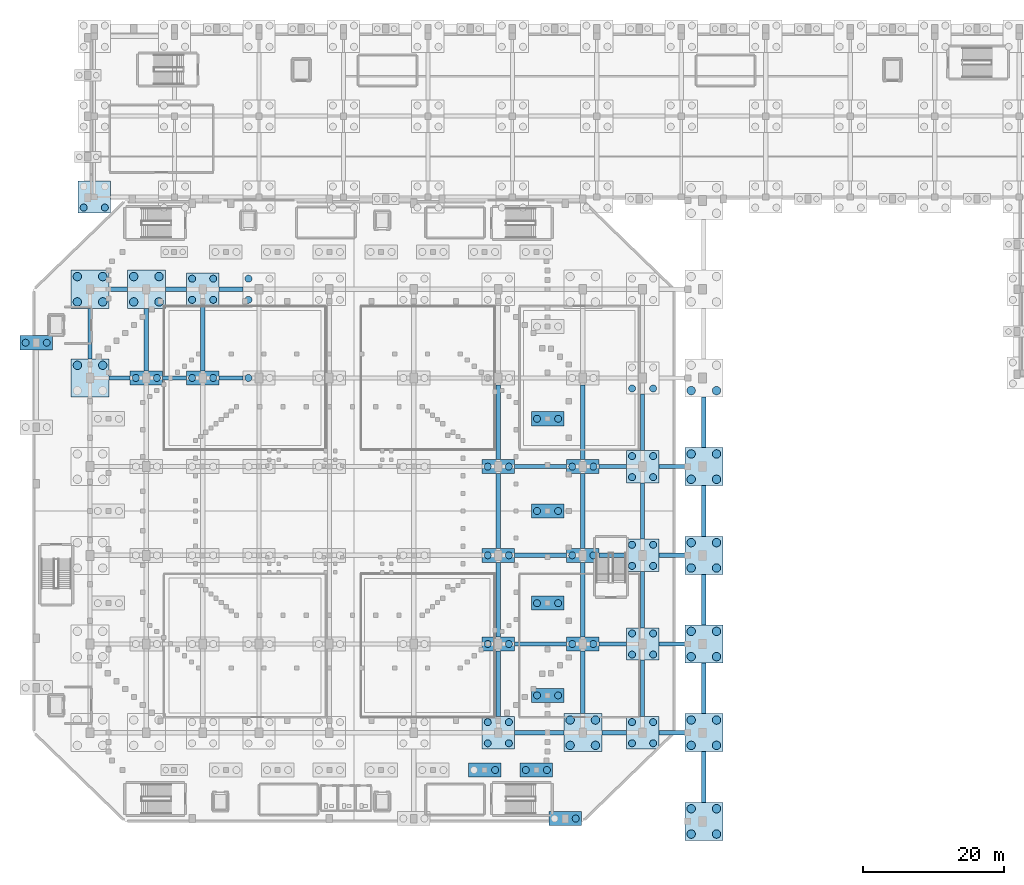
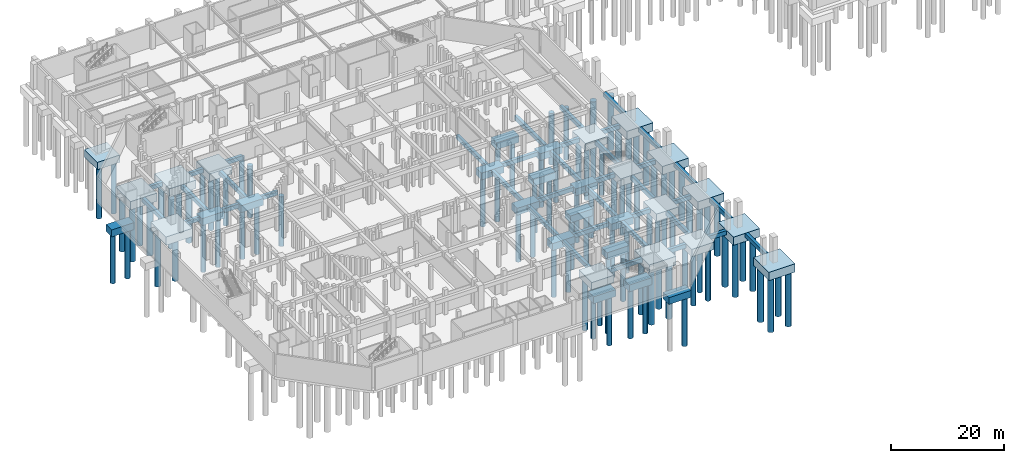
# One storey, part 2 of 27: 97 piles, 70 footings.
"""IFC4 building model written with IfcOpenShell, lengths in metres."""

from ifc_helpers import new_model, si_unit, derived_unit, direction, frame, origin, origin_2d, place, context, subcontext, project, spatial, rectangle, circle, extrude, material, layer, layer_set, material_profile, profile_set, type_object, element, save


model = new_model("IFC4")

# Units and contexts
model_context = context("Model", 3, precision=1e-05, world=origin(), true_north=direction((0.0, 1.0)))
body_context = subcontext(model_context, "Body", "Model", "MODEL_VIEW")
ifc_project = project(units=[si_unit("LENGTHUNIT", "METRE"), si_unit("AREAUNIT", "SQUARE_METRE"), si_unit("VOLUMEUNIT", "CUBIC_METRE"), si_unit("PLANEANGLEUNIT", "RADIAN"), si_unit("MASSUNIT", "GRAM", prefix="KILO"), derived_unit("THERMALTRANSMITTANCEUNIT", [(si_unit("MASSUNIT", "GRAM", prefix="KILO"), 1), (si_unit("TIMEUNIT", "SECOND"), -3), (si_unit("THERMODYNAMICTEMPERATUREUNIT", "KELVIN"), -1)])], contexts=[model_context])

# Site, building, storey
site_placement = place(None, origin())
site = spatial("IfcSite", under=ifc_project, at=site_placement, CompositionType="ELEMENT")
building_placement = place(site_placement, origin())
building = spatial("IfcBuilding", under=site, at=building_placement, Name="Valcora Ridge Arena", CompositionType="ELEMENT")
storey_placement = place(building_placement, frame((0.0, 0.0, -5.39990234375)))
storey = spatial("IfcBuildingStorey", under=building, at=storey_placement, Name="B1", CompositionType="ELEMENT", Elevation=-5.39990234375)

# Footings
ifc_material_1 = material(Name="Concrete C40/50", Category="concrete")
ifc_layer_1 = layer(ifc_material_1, 1.5, Name="Concrete C40/50")
ifc_layer_set_1 = layer_set([ifc_layer_1], Name="Concrete C40/50")
footing_type_1 = type_object("IfcFootingType", Name="TY-FOOTING-PC-2P1000", PredefinedType="PILE_CAP", material=ifc_layer_set_1)
for number, where, z_axis, x_axis, name in (
    (1, (32.0, 83.0, -2.10009765625), (0.0, 0.0, 1.0), (1.0, 0.0, 0.0), "PC-2P1000 FND-PC-0019"),
    (2, (40.0, 83.0, -2.10009765625), (0.0, 0.0, 1.0), (1.0, 0.0, 0.0), "PC-2P1000 FND-PC-0025"),
    (3, (82.0, 45.199951171875, -2.10009765625), (0.0, 0.0, 1.0), (1.0, 0.0, 0.0), "PC-2P1000 FND-PC-0046"),
    (4, (82.0, 57.800048828125, -2.10009765625), (0.0, 0.0, 1.0), (1.0, 0.0, 0.0), "PC-2P1000 FND-PC-0047"),
    (5, (82.0, 70.39990234375, -2.10009765625), (0.0, 0.0, 1.0), (1.0, 0.0, 0.0), "PC-2P1000 FND-PC-0048"),
    (6, (94.0, 45.199951171875, -2.10009765625), (0.0, 0.0, 1.0), (1.0, 0.0, 0.0), "PC-2P1000 FND-PC-0052"),
    (7, (94.0, 57.800048828125, -2.10009765625), (0.0, 0.0, 1.0), (1.0, 0.0, 0.0), "PC-2P1000 FND-PC-0053"),
    (8, (94.0, 70.39990234375, -2.10009765625), (0.0, 0.0, 1.0), (1.0, 0.0, 0.0), "PC-2P1000 FND-PC-0054"),
    (9, (91.5, 20.39990234375, -2.10009765625), (0.0, 0.0, 1.0), (1.0, 0.0, 0.0), "PC-2P1000 FND-PC-0211"),
    (10, (16.35009765625, 88.0, -2.10009765625), (0.0, 0.0, 1.0), (1.0, 0.0, 0.0), "PC-2P1000 FND-PC-0214"),
    (11, (80.050048828125, 27.300048828125, -2.10009765625), (0.0, 0.0, 1.0), (1.0, 0.0, 0.0), "PC-2P1000 FND-PC-0267"),
    (12, (87.39990234375, 27.300048828125, -2.10009765625), (0.0, 0.0, 1.0), (1.0, 0.0, 0.0), "PC-2P1000 FND-PC-0268"),
    (13, (89.0, 37.89990234375, -2.10009765625), (0.0, 0.0, 1.0), (1.0, 0.0, 0.0), "PC-2P1000 FND-PC-0269"),
    (14, (89.0, 51.0, -2.10009765625), (0.0, 0.0, 1.0), (1.0, 0.0, 0.0), "PC-2P1000 FND-PC-0270"),
    (15, (89.0, 64.10009765625, -2.10009765625), (0.0, 0.0, 1.0), (1.0, 0.0, 0.0), "PC-2P1000 FND-PC-0271"),
    (16, (89.0, 77.199951171875, -2.10009765625), (0.0, 0.0, 1.0), (1.0, 0.0, 0.0), "PC-2P1000 FND-PC-0272"),
):
    element("IfcFooting", number, at=place(storey_placement, frame(where, z_axis=z_axis, x_axis=x_axis)), inside=storey, type_object=footing_type_1, Name=name, PredefinedType="PILE_CAP", context=body_context, shape_type="SweptSolid", body=[
        extrude(rectangle(XDim=4.60009765625, YDim=2.0, at=origin_2d()), origin(), (0.0, 0.0, 1.0), 1.5),
    ])
ifc_layer_2 = layer(ifc_material_1, 1.60009765625, Name="Concrete C40/50")
ifc_layer_set_2 = layer_set([ifc_layer_2], Name="Concrete C40/50")
footing_type_2 = type_object("IfcFootingType", Name="TY-FOOTING-PC-4P1000", PredefinedType="PILE_CAP", material=ifc_layer_set_2)
for number, where, z_axis, x_axis, name in (
    (17, (40.0, 95.60009765625, -2.2001953125), (0.0, 0.0, 1.0), (1.0, 0.0, 0.0), "PC-4P1000 FND-PC-0026"),
    (18, (82.0, 32.60009765625, -2.2001953125), (0.0, 0.0, 1.0), (1.0, 0.0, 0.0), "PC-4P1000 FND-PC-0045"),
    (19, (102.5, 32.60009765625, -2.2001953125), (0.0, 0.0, 1.0), (1.0, 0.0, 0.0), "PC-4P1000 FND-PC-0057"),
    (20, (102.5, 45.199951171875, -2.2001953125), (0.0, 0.0, 1.0), (1.0, 0.0, 0.0), "PC-4P1000 FND-PC-0058"),
    (21, (102.5, 57.800048828125, -2.2001953125), (0.0, 0.0, 1.0), (1.0, 0.0, 0.0), "PC-4P1000 FND-PC-0059"),
    (22, (102.5, 70.39990234375, -2.2001953125), (0.0, 0.0, 1.0), (1.0, 0.0, 0.0), "PC-4P1000 FND-PC-0060"),
    (23, (24.60009765625, 108.699951171875, -2.2001953125), (0.0, 0.0, 1.0), (1.0, 0.0, 0.0), "PC-4P1000 FND-PC-0063"),
):
    element("IfcFooting", number, at=place(storey_placement, frame(where, z_axis=z_axis, x_axis=x_axis)), inside=storey, type_object=footing_type_2, Name=name, PredefinedType="PILE_CAP", context=body_context, shape_type="SweptSolid", body=[
        extrude(rectangle(XDim=4.60009765625, YDim=4.60009765625, at=origin_2d()), origin(), (0.0, 0.0, 1.0), 1.60009765625),
    ])
ifc_layer_3 = layer(ifc_material_1, 1.800048828125, Name="Concrete C40/50")
ifc_layer_set_3 = layer_set([ifc_layer_3], Name="Concrete C40/50")
footing_type_3 = type_object("IfcFootingType", Name="TY-FOOTING-PC-4P1200", PredefinedType="PILE_CAP", material=ifc_layer_set_3)
for number, where, z_axis, x_axis, name in (
    (24, (111.199951171875, 20.0, -2.39990234375), (0.0, 0.0, 1.0), (1.0, 0.0, 0.0), "PC-4P1200 FND-PC-0001"),
    (25, (111.199951171875, 32.60009765625, -2.39990234375), (0.0, 0.0, 1.0), (1.0, 0.0, 0.0), "PC-4P1200 FND-PC-0002"),
    (26, (111.199951171875, 45.199951171875, -2.39990234375), (0.0, 0.0, 1.0), (1.0, 0.0, 0.0), "PC-4P1200 FND-PC-0003"),
    (27, (111.199951171875, 57.800048828125, -2.39990234375), (0.0, 0.0, 1.0), (1.0, 0.0, 0.0), "PC-4P1200 FND-PC-0004"),
    (28, (111.199951171875, 70.39990234375, -2.39990234375), (0.0, 0.0, 1.0), (1.0, 0.0, 0.0), "PC-4P1200 FND-PC-0005"),
    (29, (24.0, 83.0, -2.39990234375), (0.0, 0.0, 1.0), (1.0, 0.0, 0.0), "PC-4P1200 FND-PC-0013"),
    (30, (24.0, 95.60009765625, -2.39990234375), (0.0, 0.0, 1.0), (1.0, 0.0, 0.0), "PC-4P1200 FND-PC-0014"),
    (31, (32.0, 95.60009765625, -2.39990234375), (0.0, 0.0, 1.0), (1.0, 0.0, 0.0), "PC-4P1200 FND-PC-0020"),
    (32, (94.0, 32.60009765625, -2.39990234375), (0.0, 0.0, 1.0), (1.0, 0.0, 0.0), "PC-4P1200 FND-PC-0051"),
):
    element("IfcFooting", number, at=place(storey_placement, frame(where, z_axis=z_axis, x_axis=x_axis)), inside=storey, type_object=footing_type_3, Name=name, PredefinedType="PILE_CAP", context=body_context, shape_type="SweptSolid", body=[
        extrude(rectangle(XDim=5.39990234375, YDim=5.39990234375, at=origin_2d()), origin(), (0.0, 0.0, 1.0), 1.800048828125),
    ])
ifc_layer_4 = layer(ifc_material_1, 0.89990234375, Name="Concrete C40/50")
ifc_layer_set_4 = layer_set([ifc_layer_4], Name="Concrete C40/50")
footing_type_4 = type_object("IfcFootingType", Name="TY-FOOTING-TBX-026", PredefinedType="FOOTING_BEAM", material=ifc_layer_set_4)
footing_1_placement = place(storey_placement, frame((28.0, 95.60009765625, -1.5), z_axis=(0.0, 0.0, 1.0), x_axis=(1.0, 0.0, 0.0)))
element("IfcFooting", 33, at=footing_1_placement, inside=storey, type_object=footing_type_4, Name="TBX-026 FND-TB-0046", PredefinedType="FOOTING_BEAM", context=body_context, shape_type="SweptSolid", body=[
    extrude(rectangle(XDim=2.597900390625, YDim=0.60009765625, at=origin_2d()), origin(), (0.0, 0.0, 1.0), 0.89990234375),
])
ifc_layer_5 = layer(ifc_material_1, 0.89990234375, Name="Concrete C40/50")
ifc_layer_set_5 = layer_set([ifc_layer_5], Name="Concrete C40/50")
footing_type_5 = type_object("IfcFootingType", Name="TY-FOOTING-TBX-030", PredefinedType="FOOTING_BEAM", material=ifc_layer_set_5)
for number, where, z_axis, x_axis, name in (
    (34, (28.199951171875, 83.0, -1.5), (0.0, 0.0, 1.0), (1.0, 0.0, 0.0), "TBX-030 FND-TB-0037"),
    (35, (36.199951171875, 95.60009765625, -1.5), (0.0, 0.0, 1.0), (1.0, 0.0, 0.0), "TBX-030 FND-TB-0047"),
):
    element("IfcFooting", number, at=place(storey_placement, frame(where, z_axis=z_axis, x_axis=x_axis)), inside=storey, type_object=footing_type_5, Name=name, PredefinedType="FOOTING_BEAM", context=body_context, shape_type="SweptSolid", body=[
        extrude(rectangle(XDim=2.998046875, YDim=0.60009765625, at=origin_2d()), origin(), (0.0, 0.0, 1.0), 0.89990234375),
    ])
ifc_layer_6 = layer(ifc_material_1, 0.89990234375, Name="Concrete C40/50")
ifc_layer_set_6 = layer_set([ifc_layer_6], Name="Concrete C40/50")
footing_type_6 = type_object("IfcFootingType", Name="TY-FOOTING-TBX-034", PredefinedType="FOOTING_BEAM", material=ifc_layer_set_6)
for number, where, z_axis, x_axis, name in (
    (36, (36.0, 83.0, -1.5), (0.0, 0.0, 1.0), (1.0, 0.0, 0.0), "TBX-034 FND-TB-0038"),
    (37, (44.0, 83.0, -1.5), (0.0, 0.0, 1.0), (1.0, 0.0, 0.0), "TBX-034 FND-TB-0039"),
    (38, (44.0, 95.60009765625, -1.5), (0.0, 0.0, 1.0), (1.0, 0.0, 0.0), "TBX-034 FND-TB-0048"),
):
    element("IfcFooting", number, at=place(storey_placement, frame(where, z_axis=z_axis, x_axis=x_axis)), inside=storey, type_object=footing_type_6, Name=name, PredefinedType="FOOTING_BEAM", context=body_context, shape_type="SweptSolid", body=[
        extrude(rectangle(XDim=3.39794921875, YDim=0.60009765625, at=origin_2d()), origin(), (0.0, 0.0, 1.0), 0.89990234375),
    ])
ifc_layer_7 = layer(ifc_material_1, 0.89990234375, Name="Concrete C40/50")
ifc_layer_set_7 = layer_set([ifc_layer_7], Name="Concrete C40/50")
footing_type_7 = type_object("IfcFootingType", Name="TY-FOOTING-TBX-035", PredefinedType="FOOTING_BEAM", material=ifc_layer_set_7)
footing_2_placement = place(storey_placement, frame((98.449951171875, 32.60009765625, -1.5), z_axis=(0.0, 0.0, 1.0), x_axis=(1.0, 0.0, 0.0)))
element("IfcFooting", 39, at=footing_2_placement, inside=storey, type_object=footing_type_7, Name="TBX-035 FND-TB-0008", PredefinedType="FOOTING_BEAM", context=body_context, shape_type="SweptSolid", body=[
    extrude(rectangle(XDim=3.498046875, YDim=0.60009765625, at=origin_2d()), origin(), (0.0, 0.0, 1.0), 0.89990234375),
])
ifc_layer_8 = layer(ifc_material_1, 0.89990234375, Name="Concrete C40/50")
ifc_layer_set_8 = layer_set([ifc_layer_8], Name="Concrete C40/50")
footing_type_8 = type_object("IfcFootingType", Name="TY-FOOTING-TBX-037", PredefinedType="FOOTING_BEAM", material=ifc_layer_set_8)
for number, where, z_axis, x_axis, name in (
    (40, (106.64990234375, 32.60009765625, -1.5), (0.0, 0.0, 1.0), (1.0, 0.0, 0.0), "TBX-037 FND-TB-0009"),
    (41, (106.64990234375, 45.199951171875, -1.5), (0.0, 0.0, 1.0), (1.0, 0.0, 0.0), "TBX-037 FND-TB-0018"),
    (42, (106.64990234375, 57.800048828125, -1.5), (0.0, 0.0, 1.0), (1.0, 0.0, 0.0), "TBX-037 FND-TB-0027"),
    (43, (106.64990234375, 70.39990234375, -1.5), (0.0, 0.0, 1.0), (1.0, 0.0, 0.0), "TBX-037 FND-TB-0036"),
):
    element("IfcFooting", number, at=place(storey_placement, frame(where, z_axis=z_axis, x_axis=x_axis)), inside=storey, type_object=footing_type_8, Name=name, PredefinedType="FOOTING_BEAM", context=body_context, shape_type="SweptSolid", body=[
        extrude(rectangle(XDim=3.697998046875, YDim=0.60009765625, at=origin_2d()), origin(), (0.0, 0.0, 1.0), 0.89990234375),
    ])
ifc_layer_9 = layer(ifc_material_1, 0.89990234375, Name="Concrete C40/50")
ifc_layer_set_9 = layer_set([ifc_layer_9], Name="Concrete C40/50")
footing_type_9 = type_object("IfcFootingType", Name="TY-FOOTING-TBX-039", PredefinedType="FOOTING_BEAM", material=ifc_layer_set_9)
for number, where, z_axis, x_axis, name in (
    (44, (98.25, 45.199951171875, -1.5), (0.0, 0.0, 1.0), (1.0, 0.0, 0.0), "TBX-039 FND-TB-0017"),
    (45, (98.25, 57.800048828125, -1.5), (0.0, 0.0, 1.0), (1.0, 0.0, 0.0), "TBX-039 FND-TB-0026"),
    (46, (98.25, 70.39990234375, -1.5), (0.0, 0.0, 1.0), (1.0, 0.0, 0.0), "TBX-039 FND-TB-0035"),
):
    element("IfcFooting", number, at=place(storey_placement, frame(where, z_axis=z_axis, x_axis=x_axis)), inside=storey, type_object=footing_type_9, Name=name, PredefinedType="FOOTING_BEAM", context=body_context, shape_type="SweptSolid", body=[
        extrude(rectangle(XDim=3.89794921875, YDim=0.60009765625, at=origin_2d()), origin(), (0.0, 0.0, 1.0), 0.89990234375),
    ])
ifc_layer_10 = layer(ifc_material_1, 0.89990234375, Name="Concrete C40/50")
ifc_layer_set_10 = layer_set([ifc_layer_10], Name="Concrete C40/50")
footing_type_10 = type_object("IfcFootingType", Name="TY-FOOTING-TBX-070", PredefinedType="FOOTING_BEAM", material=ifc_layer_set_10)
footing_3_placement = place(storey_placement, frame((87.800048828125, 32.60009765625, -1.5), z_axis=(0.0, 0.0, 1.0), x_axis=(1.0, 0.0, 0.0)))
element("IfcFooting", 47, at=footing_3_placement, inside=storey, type_object=footing_type_10, Name="TBX-070 FND-TB-0007", PredefinedType="FOOTING_BEAM", context=body_context, shape_type="SweptSolid", body=[
    extrude(rectangle(XDim=6.998046875, YDim=0.60009765625, at=origin_2d()), origin(), (0.0, 0.0, 1.0), 0.89990234375),
])
ifc_layer_11 = layer(ifc_material_1, 0.89990234375, Name="Concrete C40/50")
ifc_layer_set_11 = layer_set([ifc_layer_11], Name="Concrete C40/50")
footing_type_11 = type_object("IfcFootingType", Name="TY-FOOTING-TBX-074", PredefinedType="FOOTING_BEAM", material=ifc_layer_set_11)
for number, where, z_axis, x_axis, name in (
    (48, (88.0, 45.199951171875, -1.5), (0.0, 0.0, 1.0), (1.0, 0.0, 0.0), "TBX-074 FND-TB-0016"),
    (49, (88.0, 57.800048828125, -1.5), (0.0, 0.0, 1.0), (1.0, 0.0, 0.0), "TBX-074 FND-TB-0025"),
    (50, (88.0, 70.39990234375, -1.5), (0.0, 0.0, 1.0), (1.0, 0.0, 0.0), "TBX-074 FND-TB-0034"),
):
    element("IfcFooting", number, at=place(storey_placement, frame(where, z_axis=z_axis, x_axis=x_axis)), inside=storey, type_object=footing_type_11, Name=name, PredefinedType="FOOTING_BEAM", context=body_context, shape_type="SweptSolid", body=[
        extrude(rectangle(XDim=7.39794921875, YDim=0.60009765625, at=origin_2d()), origin(), (0.0, 0.0, 1.0), 0.89990234375),
    ])
ifc_layer_12 = layer(ifc_material_1, 0.89990234375, Name="Concrete C40/50")
ifc_layer_set_12 = layer_set([ifc_layer_12], Name="Concrete C40/50")
footing_type_12 = type_object("IfcFootingType", Name="TY-FOOTING-TBY-072", PredefinedType="FOOTING_BEAM", material=ifc_layer_set_12)
for number, where, z_axis, x_axis, name in (
    (51, (111.199951171875, 26.300048828125, -1.5), (0.0, 0.0, 1.0), (1.0, 0.0, 0.0), "TBY-072 FND-TB-0085"),
    (52, (111.199951171875, 38.89990234375, -1.5), (0.0, 0.0, 1.0), (1.0, 0.0, 0.0), "TBY-072 FND-TB-0086"),
    (53, (111.199951171875, 51.5, -1.5), (0.0, 0.0, 1.0), (1.0, 0.0, 0.0), "TBY-072 FND-TB-0087"),
    (54, (111.199951171875, 64.10009765625, -1.5), (0.0, 0.0, 1.0), (1.0, 0.0, 0.0), "TBY-072 FND-TB-0088"),
    (55, (111.199951171875, 76.699951171875, -1.5), (0.0, 0.0, 1.0), (1.0, 0.0, 0.0), "TBY-072 FND-TB-0089"),
    (56, (24.0, 89.300048828125, -1.5), (0.0, 0.0, 1.0), (1.0, 0.0, 0.0), "TBY-072 FND-TB-0096"),
):
    element("IfcFooting", number, at=place(storey_placement, frame(where, z_axis=z_axis, x_axis=x_axis)), inside=storey, type_object=footing_type_12, Name=name, PredefinedType="FOOTING_BEAM", context=body_context, shape_type="SweptSolid", body=[
        extrude(rectangle(XDim=0.60009765625, YDim=7.197998046875, at=origin_2d()), origin(), (0.0, 0.0, 1.0), 0.89990234375),
    ])
ifc_layer_13 = layer(ifc_material_1, 0.89990234375, Name="Concrete C40/50")
ifc_layer_set_13 = layer_set([ifc_layer_13], Name="Concrete C40/50")
footing_type_13 = type_object("IfcFootingType", Name="TY-FOOTING-TBY-080", PredefinedType="FOOTING_BEAM", material=ifc_layer_set_13)
for number, where, z_axis, x_axis, name in (
    (57, (102.5, 38.89990234375, -1.5), (0.0, 0.0, 1.0), (1.0, 0.0, 0.0), "TBY-080 FND-TB-0135"),
    (58, (102.5, 51.5, -1.5), (0.0, 0.0, 1.0), (1.0, 0.0, 0.0), "TBY-080 FND-TB-0136"),
    (59, (102.5, 64.10009765625, -1.5), (0.0, 0.0, 1.0), (1.0, 0.0, 0.0), "TBY-080 FND-TB-0137"),
    (60, (102.5, 76.699951171875, -1.5), (0.0, 0.0, 1.0), (1.0, 0.0, 0.0), "TBY-080 FND-TB-0138"),
):
    element("IfcFooting", number, at=place(storey_placement, frame(where, z_axis=z_axis, x_axis=x_axis)), inside=storey, type_object=footing_type_13, Name=name, PredefinedType="FOOTING_BEAM", context=body_context, shape_type="SweptSolid", body=[
        extrude(rectangle(XDim=0.60009765625, YDim=7.998046875, at=origin_2d()), origin(), (0.0, 0.0, 1.0), 0.89990234375),
    ])
ifc_layer_14 = layer(ifc_material_1, 0.89990234375, Name="Concrete C40/50")
ifc_layer_set_14 = layer_set([ifc_layer_14], Name="Concrete C40/50")
footing_type_14 = type_object("IfcFootingType", Name="TY-FOOTING-TBY-089", PredefinedType="FOOTING_BEAM", material=ifc_layer_set_14)
for number, where, z_axis, x_axis, name in (
    (61, (32.0, 88.449951171875, -1.5), (0.0, 0.0, 1.0), (1.0, 0.0, 0.0), "TBY-089 FND-TB-0101"),
    (62, (94.0, 39.75, -1.5), (0.0, 0.0, 1.0), (1.0, 0.0, 0.0), "TBY-089 FND-TB-0130"),
):
    element("IfcFooting", number, at=place(storey_placement, frame(where, z_axis=z_axis, x_axis=x_axis)), inside=storey, type_object=footing_type_14, Name=name, PredefinedType="FOOTING_BEAM", context=body_context, shape_type="SweptSolid", body=[
        extrude(rectangle(XDim=0.60009765625, YDim=8.89794921875, at=origin_2d()), origin(), (0.0, 0.0, 1.0), 0.89990234375),
    ])
ifc_layer_15 = layer(ifc_material_1, 0.89990234375, Name="Concrete C40/50")
ifc_layer_set_15 = layer_set([ifc_layer_15], Name="Concrete C40/50")
footing_type_15 = type_object("IfcFootingType", Name="TY-FOOTING-TBY-093", PredefinedType="FOOTING_BEAM", material=ifc_layer_set_15)
for number, where, z_axis, x_axis, name in (
    (63, (40.0, 88.64990234375, -1.5), (0.0, 0.0, 1.0), (1.0, 0.0, 0.0), "TBY-093 FND-TB-0106"),
    (64, (82.0, 39.550048828125, -1.5), (0.0, 0.0, 1.0), (1.0, 0.0, 0.0), "TBY-093 FND-TB-0125"),
):
    element("IfcFooting", number, at=place(storey_placement, frame(where, z_axis=z_axis, x_axis=x_axis)), inside=storey, type_object=footing_type_15, Name=name, PredefinedType="FOOTING_BEAM", context=body_context, shape_type="SweptSolid", body=[
        extrude(rectangle(XDim=0.60009765625, YDim=9.298095703125, at=origin_2d()), origin(), (0.0, 0.0, 1.0), 0.89990234375),
    ])
ifc_layer_16 = layer(ifc_material_1, 0.89990234375, Name="Concrete C40/50")
ifc_layer_set_16 = layer_set([ifc_layer_16], Name="Concrete C40/50")
footing_type_16 = type_object("IfcFootingType", Name="TY-FOOTING-TBY-106", PredefinedType="FOOTING_BEAM", material=ifc_layer_set_16)
for number, where, z_axis, x_axis, name in (
    (65, (82.0, 51.5, -1.5), (0.0, 0.0, 1.0), (1.0, 0.0, 0.0), "TBY-106 FND-TB-0126"),
    (66, (82.0, 64.10009765625, -1.5), (0.0, 0.0, 1.0), (1.0, 0.0, 0.0), "TBY-106 FND-TB-0127"),
    (67, (82.0, 76.699951171875, -1.5), (0.0, 0.0, 1.0), (1.0, 0.0, 0.0), "TBY-106 FND-TB-0128"),
    (68, (94.0, 51.5, -1.5), (0.0, 0.0, 1.0), (1.0, 0.0, 0.0), "TBY-106 FND-TB-0131"),
    (69, (94.0, 64.10009765625, -1.5), (0.0, 0.0, 1.0), (1.0, 0.0, 0.0), "TBY-106 FND-TB-0132"),
    (70, (94.0, 76.699951171875, -1.5), (0.0, 0.0, 1.0), (1.0, 0.0, 0.0), "TBY-106 FND-TB-0133"),
):
    element("IfcFooting", number, at=place(storey_placement, frame(where, z_axis=z_axis, x_axis=x_axis)), inside=storey, type_object=footing_type_16, Name=name, PredefinedType="FOOTING_BEAM", context=body_context, shape_type="SweptSolid", body=[
        extrude(rectangle(XDim=0.60009765625, YDim=10.597900390625, at=origin_2d()), origin(), (0.0, 0.0, 1.0), 0.89990234375),
    ])

# Piles
ifc_material_2 = material(Name="Concrete C35/45", Category="concrete")
ifc_material_profile_1 = material_profile(ifc_material_2, circle(Radius=0.5, at=origin_2d()), Name="BORED PILE D1000")
ifc_profile_set_1 = profile_set([ifc_material_profile_1], Name="Concrete C35/45")
pile_type_1 = type_object("IfcPileType", Name="TY-PILE-P-1000A", PredefinedType="BORED", material=ifc_profile_set_1)
for number, where, z_axis, x_axis, name in (
    (71, (38.5, 94.10009765625, -2.10009765625), (0.0, 0.0, -1.0), (1.0, 0.0, 0.0), "P-1000A FND-PL-P-1000A-0005"),
    (72, (41.5, 94.10009765625, -2.10009765625), (0.0, 0.0, -1.0), (1.0, 0.0, 0.0), "P-1000A FND-PL-P-1000A-0006"),
    (73, (38.5, 97.10009765625, -2.10009765625), (0.0, 0.0, -1.0), (1.0, 0.0, 0.0), "P-1000A FND-PL-P-1000A-0007"),
    (74, (41.5, 97.10009765625, -2.10009765625), (0.0, 0.0, -1.0), (1.0, 0.0, 0.0), "P-1000A FND-PL-P-1000A-0008"),
    (75, (46.5, 94.10009765625, -2.10009765625), (0.0, 0.0, -1.0), (1.0, 0.0, 0.0), "P-1000A FND-PL-P-1000A-0013"),
    (76, (46.5, 97.10009765625, -2.10009765625), (0.0, 0.0, -1.0), (1.0, 0.0, 0.0), "P-1000A FND-PL-P-1000A-0015"),
    (77, (80.5, 31.10009765625, -2.10009765625), (0.0, 0.0, -1.0), (1.0, 0.0, 0.0), "P-1000A FND-PL-P-1000A-0033"),
    (78, (83.5, 31.10009765625, -2.10009765625), (0.0, 0.0, -1.0), (1.0, 0.0, 0.0), "P-1000A FND-PL-P-1000A-0034"),
    (79, (80.5, 34.10009765625, -2.10009765625), (0.0, 0.0, -1.0), (1.0, 0.0, 0.0), "P-1000A FND-PL-P-1000A-0035"),
    (80, (83.5, 34.10009765625, -2.10009765625), (0.0, 0.0, -1.0), (1.0, 0.0, 0.0), "P-1000A FND-PL-P-1000A-0036"),
    (81, (101.0, 31.10009765625, -2.10009765625), (0.0, 0.0, -1.0), (1.0, 0.0, 0.0), "P-1000A FND-PL-P-1000A-0041"),
    (82, (104.0, 31.10009765625, -2.10009765625), (0.0, 0.0, -1.0), (1.0, 0.0, 0.0), "P-1000A FND-PL-P-1000A-0042"),
    (83, (101.0, 34.10009765625, -2.10009765625), (0.0, 0.0, -1.0), (1.0, 0.0, 0.0), "P-1000A FND-PL-P-1000A-0043"),
    (84, (104.0, 34.10009765625, -2.10009765625), (0.0, 0.0, -1.0), (1.0, 0.0, 0.0), "P-1000A FND-PL-P-1000A-0044"),
    (85, (101.0, 43.699951171875, -2.10009765625), (0.0, 0.0, -1.0), (1.0, 0.0, 0.0), "P-1000A FND-PL-P-1000A-0045"),
    (86, (104.0, 43.699951171875, -2.10009765625), (0.0, 0.0, -1.0), (1.0, 0.0, 0.0), "P-1000A FND-PL-P-1000A-0046"),
    (87, (101.0, 46.699951171875, -2.10009765625), (0.0, 0.0, -1.0), (1.0, 0.0, 0.0), "P-1000A FND-PL-P-1000A-0047"),
    (88, (104.0, 46.699951171875, -2.10009765625), (0.0, 0.0, -1.0), (1.0, 0.0, 0.0), "P-1000A FND-PL-P-1000A-0048"),
    (89, (101.0, 56.300048828125, -2.10009765625), (0.0, 0.0, -1.0), (1.0, 0.0, 0.0), "P-1000A FND-PL-P-1000A-0049"),
    (90, (104.0, 56.300048828125, -2.10009765625), (0.0, 0.0, -1.0), (1.0, 0.0, 0.0), "P-1000A FND-PL-P-1000A-0050"),
    (91, (101.0, 59.300048828125, -2.10009765625), (0.0, 0.0, -1.0), (1.0, 0.0, 0.0), "P-1000A FND-PL-P-1000A-0051"),
    (92, (104.0, 59.300048828125, -2.10009765625), (0.0, 0.0, -1.0), (1.0, 0.0, 0.0), "P-1000A FND-PL-P-1000A-0052"),
    (93, (101.0, 68.89990234375, -2.10009765625), (0.0, 0.0, -1.0), (1.0, 0.0, 0.0), "P-1000A FND-PL-P-1000A-0053"),
    (94, (104.0, 68.89990234375, -2.10009765625), (0.0, 0.0, -1.0), (1.0, 0.0, 0.0), "P-1000A FND-PL-P-1000A-0054"),
    (95, (101.0, 71.89990234375, -2.10009765625), (0.0, 0.0, -1.0), (1.0, 0.0, 0.0), "P-1000A FND-PL-P-1000A-0055"),
    (96, (104.0, 71.89990234375, -2.10009765625), (0.0, 0.0, -1.0), (1.0, 0.0, 0.0), "P-1000A FND-PL-P-1000A-0056"),
    (97, (101.0, 81.5, -2.10009765625), (0.0, 0.0, -1.0), (1.0, 0.0, 0.0), "P-1000A FND-PL-P-1000A-0057"),
    (98, (104.0, 81.5, -2.10009765625), (0.0, 0.0, -1.0), (1.0, 0.0, 0.0), "P-1000A FND-PL-P-1000A-0058"),
    (99, (23.10009765625, 107.199951171875, -2.10009765625), (0.0, 0.0, -1.0), (1.0, 0.0, 0.0), "P-1000A FND-PL-P-1000A-0065"),
    (100, (26.10009765625, 107.199951171875, -2.10009765625), (0.0, 0.0, -1.0), (1.0, 0.0, 0.0), "P-1000A FND-PL-P-1000A-0066"),
):
    element("IfcPile", number, at=place(storey_placement, frame(where, z_axis=z_axis, x_axis=x_axis)), inside=storey, type_object=pile_type_1, Name=name, PredefinedType="BORED", context=body_context, shape_type="SweptSolid", body=[
        extrude(circle(Radius=0.5, at=origin_2d()), origin(), (0.0, 0.0, 1.0), 11.199951171875),
    ])
ifc_material_profile_2 = material_profile(ifc_material_2, circle(Radius=0.5, at=origin_2d()), Name="BORED PILE D1000")
ifc_profile_set_2 = profile_set([ifc_material_profile_2], Name="Concrete C35/45")
pile_type_2 = type_object("IfcPileType", Name="TY-PILE-P-1000B", PredefinedType="BORED", material=ifc_profile_set_2)
for number, where, z_axis, x_axis, name in (
    (101, (30.5, 83.0, -2.0), (0.0, 0.0, -1.0), (1.0, 0.0, 0.0), "P-1000B FND-PL-P-1000B-0007"),
    (102, (33.5, 83.0, -2.0), (0.0, 0.0, -1.0), (1.0, 0.0, 0.0), "P-1000B FND-PL-P-1000B-0008"),
    (103, (38.5, 83.0, -2.0), (0.0, 0.0, -1.0), (1.0, 0.0, 0.0), "P-1000B FND-PL-P-1000B-0015"),
    (104, (41.5, 83.0, -2.0), (0.0, 0.0, -1.0), (1.0, 0.0, 0.0), "P-1000B FND-PL-P-1000B-0016"),
    (105, (46.5, 83.0, -2.0), (0.0, 0.0, -1.0), (1.0, 0.0, 0.0), "P-1000B FND-PL-P-1000B-0023"),
    (106, (80.5, 45.199951171875, -2.0), (0.0, 0.0, -1.0), (1.0, 0.0, 0.0), "P-1000B FND-PL-P-1000B-0041"),
    (107, (83.5, 45.199951171875, -2.0), (0.0, 0.0, -1.0), (1.0, 0.0, 0.0), "P-1000B FND-PL-P-1000B-0042"),
    (108, (80.5, 57.800048828125, -2.0), (0.0, 0.0, -1.0), (1.0, 0.0, 0.0), "P-1000B FND-PL-P-1000B-0043"),
    (109, (83.5, 57.800048828125, -2.0), (0.0, 0.0, -1.0), (1.0, 0.0, 0.0), "P-1000B FND-PL-P-1000B-0044"),
    (110, (80.5, 70.39990234375, -2.0), (0.0, 0.0, -1.0), (1.0, 0.0, 0.0), "P-1000B FND-PL-P-1000B-0045"),
    (111, (83.5, 70.39990234375, -2.0), (0.0, 0.0, -1.0), (1.0, 0.0, 0.0), "P-1000B FND-PL-P-1000B-0046"),
    (112, (92.5, 45.199951171875, -2.0), (0.0, 0.0, -1.0), (1.0, 0.0, 0.0), "P-1000B FND-PL-P-1000B-0049"),
    (113, (95.5, 45.199951171875, -2.0), (0.0, 0.0, -1.0), (1.0, 0.0, 0.0), "P-1000B FND-PL-P-1000B-0050"),
    (114, (92.5, 57.800048828125, -2.0), (0.0, 0.0, -1.0), (1.0, 0.0, 0.0), "P-1000B FND-PL-P-1000B-0051"),
    (115, (95.5, 57.800048828125, -2.0), (0.0, 0.0, -1.0), (1.0, 0.0, 0.0), "P-1000B FND-PL-P-1000B-0052"),
    (116, (92.5, 70.39990234375, -2.0), (0.0, 0.0, -1.0), (1.0, 0.0, 0.0), "P-1000B FND-PL-P-1000B-0053"),
    (117, (95.5, 70.39990234375, -2.0), (0.0, 0.0, -1.0), (1.0, 0.0, 0.0), "P-1000B FND-PL-P-1000B-0054"),
    (118, (93.0, 20.39990234375, -2.0), (0.0, 0.0, -1.0), (1.0, 0.0, 0.0), "P-1000B FND-PL-P-1000B-0060"),
    (119, (14.85009765625, 88.0, -2.0), (0.0, 0.0, -1.0), (1.0, 0.0, 0.0), "P-1000B FND-PL-P-1000B-0065"),
    (120, (17.85009765625, 88.0, -2.0), (0.0, 0.0, -1.0), (1.0, 0.0, 0.0), "P-1000B FND-PL-P-1000B-0066"),
    (121, (81.550048828125, 27.300048828125, -2.0), (0.0, 0.0, -1.0), (1.0, 0.0, 0.0), "P-1000B FND-PL-P-1000B-0078"),
    (122, (85.89990234375, 27.300048828125, -2.0), (0.0, 0.0, -1.0), (1.0, 0.0, 0.0), "P-1000B FND-PL-P-1000B-0079"),
    (123, (88.89990234375, 27.300048828125, -2.0), (0.0, 0.0, -1.0), (1.0, 0.0, 0.0), "P-1000B FND-PL-P-1000B-0080"),
    (124, (87.5, 37.89990234375, -2.0), (0.0, 0.0, -1.0), (1.0, 0.0, 0.0), "P-1000B FND-PL-P-1000B-0081"),
    (125, (90.5, 37.89990234375, -2.0), (0.0, 0.0, -1.0), (1.0, 0.0, 0.0), "P-1000B FND-PL-P-1000B-0082"),
    (126, (87.5, 51.0, -2.0), (0.0, 0.0, -1.0), (1.0, 0.0, 0.0), "P-1000B FND-PL-P-1000B-0083"),
    (127, (90.5, 51.0, -2.0), (0.0, 0.0, -1.0), (1.0, 0.0, 0.0), "P-1000B FND-PL-P-1000B-0084"),
    (128, (87.5, 64.10009765625, -2.0), (0.0, 0.0, -1.0), (1.0, 0.0, 0.0), "P-1000B FND-PL-P-1000B-0085"),
    (129, (90.5, 64.10009765625, -2.0), (0.0, 0.0, -1.0), (1.0, 0.0, 0.0), "P-1000B FND-PL-P-1000B-0086"),
    (130, (87.5, 77.199951171875, -2.0), (0.0, 0.0, -1.0), (1.0, 0.0, 0.0), "P-1000B FND-PL-P-1000B-0087"),
    (131, (90.5, 77.199951171875, -2.0), (0.0, 0.0, -1.0), (1.0, 0.0, 0.0), "P-1000B FND-PL-P-1000B-0088"),
):
    element("IfcPile", number, at=place(storey_placement, frame(where, z_axis=z_axis, x_axis=x_axis)), inside=storey, type_object=pile_type_2, Name=name, PredefinedType="BORED", context=body_context, shape_type="SweptSolid", body=[
        extrude(circle(Radius=0.5, at=origin_2d()), origin(), (0.0, 0.0, 1.0), 10.800048828125),
    ])
ifc_material_profile_3 = material_profile(ifc_material_2, circle(Radius=0.60009765625, at=origin_2d()), Name="BORED PILE D1200")
ifc_profile_set_3 = profile_set([ifc_material_profile_3], Name="Concrete C35/45")
pile_type_3 = type_object("IfcPileType", Name="TY-PILE-P-1200A", PredefinedType="BORED", material=ifc_profile_set_3)
for number, where, z_axis, x_axis, name in (
    (132, (109.39990234375, 18.199951171875, -2.300048828125), (0.0, 0.0, -1.0), (1.0, 0.0, 0.0), "P-1200A FND-PL-P-1200A-0001"),
    (133, (113.0, 18.199951171875, -2.300048828125), (0.0, 0.0, -1.0), (1.0, 0.0, 0.0), "P-1200A FND-PL-P-1200A-0002"),
    (134, (109.39990234375, 21.800048828125, -2.300048828125), (0.0, 0.0, -1.0), (1.0, 0.0, 0.0), "P-1200A FND-PL-P-1200A-0003"),
    (135, (113.0, 21.800048828125, -2.300048828125), (0.0, 0.0, -1.0), (1.0, 0.0, 0.0), "P-1200A FND-PL-P-1200A-0004"),
    (136, (109.39990234375, 30.800048828125, -2.300048828125), (0.0, 0.0, -1.0), (1.0, 0.0, 0.0), "P-1200A FND-PL-P-1200A-0005"),
    (137, (113.0, 30.800048828125, -2.300048828125), (0.0, 0.0, -1.0), (1.0, 0.0, 0.0), "P-1200A FND-PL-P-1200A-0006"),
    (138, (109.39990234375, 34.39990234375, -2.300048828125), (0.0, 0.0, -1.0), (1.0, 0.0, 0.0), "P-1200A FND-PL-P-1200A-0007"),
    (139, (113.0, 34.39990234375, -2.300048828125), (0.0, 0.0, -1.0), (1.0, 0.0, 0.0), "P-1200A FND-PL-P-1200A-0008"),
    (140, (109.39990234375, 43.39990234375, -2.300048828125), (0.0, 0.0, -1.0), (1.0, 0.0, 0.0), "P-1200A FND-PL-P-1200A-0009"),
    (141, (113.0, 43.39990234375, -2.300048828125), (0.0, 0.0, -1.0), (1.0, 0.0, 0.0), "P-1200A FND-PL-P-1200A-0010"),
    (142, (109.39990234375, 47.0, -2.300048828125), (0.0, 0.0, -1.0), (1.0, 0.0, 0.0), "P-1200A FND-PL-P-1200A-0011"),
    (143, (113.0, 47.0, -2.300048828125), (0.0, 0.0, -1.0), (1.0, 0.0, 0.0), "P-1200A FND-PL-P-1200A-0012"),
    (144, (109.39990234375, 56.0, -2.300048828125), (0.0, 0.0, -1.0), (1.0, 0.0, 0.0), "P-1200A FND-PL-P-1200A-0013"),
    (145, (113.0, 56.0, -2.300048828125), (0.0, 0.0, -1.0), (1.0, 0.0, 0.0), "P-1200A FND-PL-P-1200A-0014"),
    (146, (109.39990234375, 59.60009765625, -2.300048828125), (0.0, 0.0, -1.0), (1.0, 0.0, 0.0), "P-1200A FND-PL-P-1200A-0015"),
    (147, (113.0, 59.60009765625, -2.300048828125), (0.0, 0.0, -1.0), (1.0, 0.0, 0.0), "P-1200A FND-PL-P-1200A-0016"),
    (148, (109.39990234375, 68.60009765625, -2.300048828125), (0.0, 0.0, -1.0), (1.0, 0.0, 0.0), "P-1200A FND-PL-P-1200A-0017"),
    (149, (113.0, 68.60009765625, -2.300048828125), (0.0, 0.0, -1.0), (1.0, 0.0, 0.0), "P-1200A FND-PL-P-1200A-0018"),
    (150, (109.39990234375, 72.199951171875, -2.300048828125), (0.0, 0.0, -1.0), (1.0, 0.0, 0.0), "P-1200A FND-PL-P-1200A-0019"),
    (151, (113.0, 72.199951171875, -2.300048828125), (0.0, 0.0, -1.0), (1.0, 0.0, 0.0), "P-1200A FND-PL-P-1200A-0020"),
    (152, (109.39990234375, 81.199951171875, -2.300048828125), (0.0, 0.0, -1.0), (1.0, 0.0, 0.0), "P-1200A FND-PL-P-1200A-0021"),
    (153, (113.0, 81.199951171875, -2.300048828125), (0.0, 0.0, -1.0), (1.0, 0.0, 0.0), "P-1200A FND-PL-P-1200A-0022"),
    (154, (22.199951171875, 84.800048828125, -2.300048828125), (0.0, 0.0, -1.0), (1.0, 0.0, 0.0), "P-1200A FND-PL-P-1200A-0051"),
    (155, (25.800048828125, 84.800048828125, -2.300048828125), (0.0, 0.0, -1.0), (1.0, 0.0, 0.0), "P-1200A FND-PL-P-1200A-0052"),
    (156, (22.199951171875, 93.800048828125, -2.300048828125), (0.0, 0.0, -1.0), (1.0, 0.0, 0.0), "P-1200A FND-PL-P-1200A-0053"),
    (157, (25.800048828125, 93.800048828125, -2.300048828125), (0.0, 0.0, -1.0), (1.0, 0.0, 0.0), "P-1200A FND-PL-P-1200A-0054"),
    (158, (22.199951171875, 97.39990234375, -2.300048828125), (0.0, 0.0, -1.0), (1.0, 0.0, 0.0), "P-1200A FND-PL-P-1200A-0055"),
    (159, (25.800048828125, 97.39990234375, -2.300048828125), (0.0, 0.0, -1.0), (1.0, 0.0, 0.0), "P-1200A FND-PL-P-1200A-0056"),
    (160, (30.199951171875, 93.800048828125, -2.300048828125), (0.0, 0.0, -1.0), (1.0, 0.0, 0.0), "P-1200A FND-PL-P-1200A-0061"),
    (161, (33.800048828125, 93.800048828125, -2.300048828125), (0.0, 0.0, -1.0), (1.0, 0.0, 0.0), "P-1200A FND-PL-P-1200A-0062"),
    (162, (30.199951171875, 97.39990234375, -2.300048828125), (0.0, 0.0, -1.0), (1.0, 0.0, 0.0), "P-1200A FND-PL-P-1200A-0063"),
    (163, (33.800048828125, 97.39990234375, -2.300048828125), (0.0, 0.0, -1.0), (1.0, 0.0, 0.0), "P-1200A FND-PL-P-1200A-0064"),
    (164, (92.199951171875, 30.800048828125, -2.300048828125), (0.0, 0.0, -1.0), (1.0, 0.0, 0.0), "P-1200A FND-PL-P-1200A-0065"),
    (165, (95.800048828125, 30.800048828125, -2.300048828125), (0.0, 0.0, -1.0), (1.0, 0.0, 0.0), "P-1200A FND-PL-P-1200A-0066"),
    (166, (92.199951171875, 34.39990234375, -2.300048828125), (0.0, 0.0, -1.0), (1.0, 0.0, 0.0), "P-1200A FND-PL-P-1200A-0067"),
    (167, (95.800048828125, 34.39990234375, -2.300048828125), (0.0, 0.0, -1.0), (1.0, 0.0, 0.0), "P-1200A FND-PL-P-1200A-0068"),
):
    element("IfcPile", number, at=place(storey_placement, frame(where, z_axis=z_axis, x_axis=x_axis)), inside=storey, type_object=pile_type_3, Name=name, PredefinedType="BORED", context=body_context, shape_type="SweptSolid", body=[
        extrude(circle(Radius=0.60009765625, at=origin_2d()), origin(), (0.0, 0.0, 1.0), 11.800048828125),
    ])

save(model, "model.ifc")
